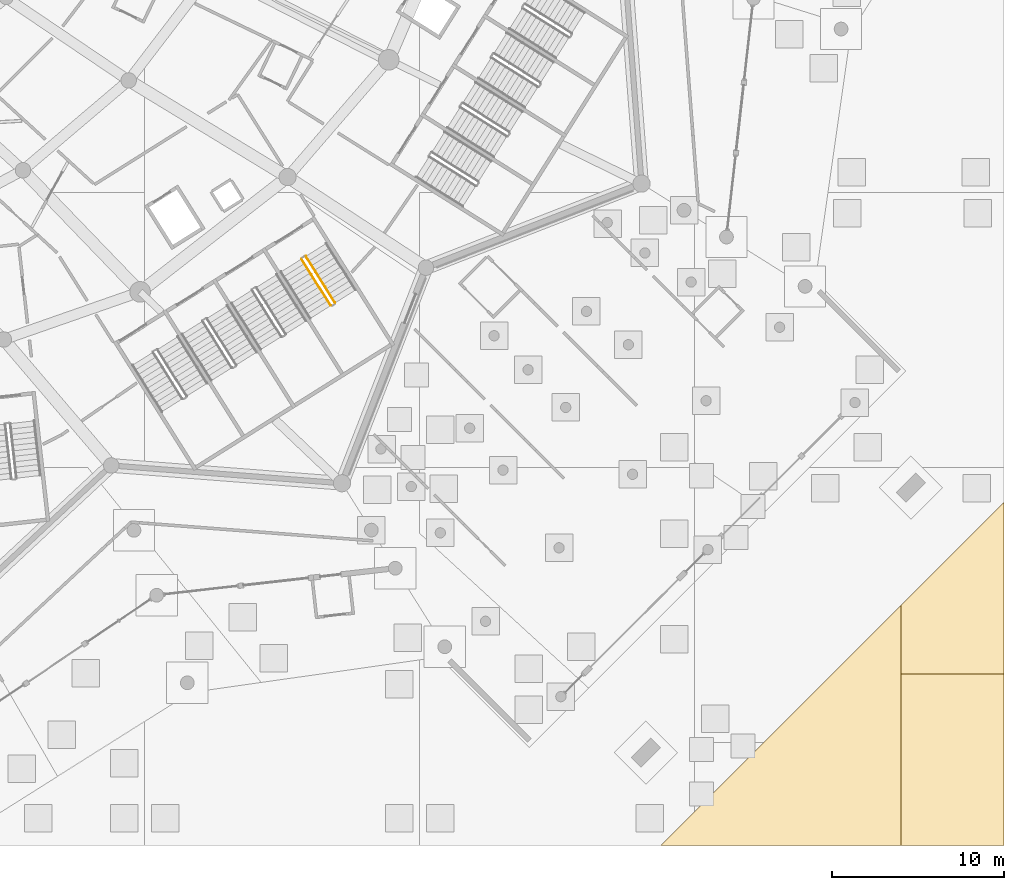
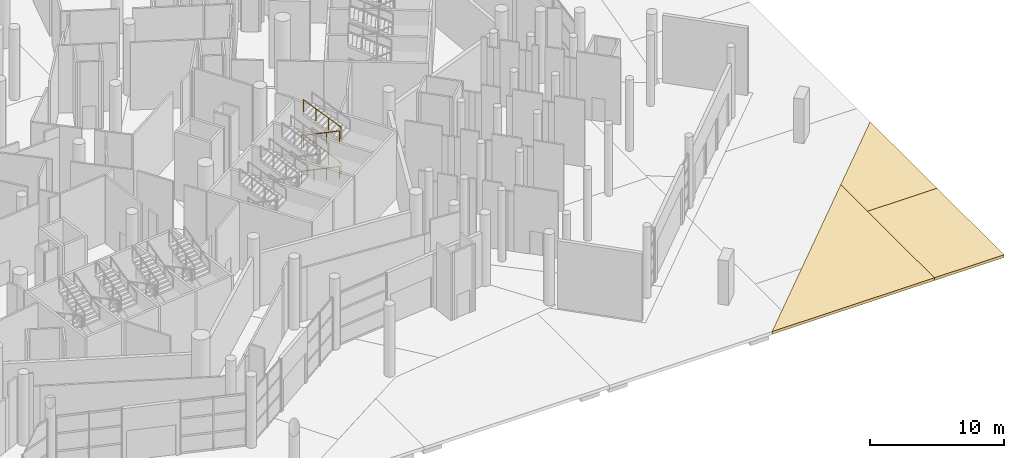
# One storey, part 212 of 255: 4 railings, 3 coverings.
"""IFC4 building model written with IfcOpenShell, lengths in metres."""

from ifc_helpers import new_model, si_unit, direction, frame, origin, origin_2d, place, context, subcontext, project, spatial, polyline, circle, outline, extrude, material, layer, layer_set, type_object, element, save


model = new_model("IFC4")

# Units and contexts
model_context = context("Model", 3, precision=1e-05, world=origin(), true_north=direction((0.0, 1.0)))
body_context = subcontext(model_context, "Body", "Model", "MODEL_VIEW")
ifc_project = project(units=[si_unit("LENGTHUNIT", "METRE"), si_unit("AREAUNIT", "SQUARE_METRE"), si_unit("VOLUMEUNIT", "CUBIC_METRE"), si_unit("PLANEANGLEUNIT", "RADIAN"), si_unit("MASSUNIT", "GRAM", prefix="KILO")], contexts=[model_context])

# Site, building, storey
site_placement = place(None, origin())
site = spatial("IfcSite", under=ifc_project, at=site_placement, CompositionType="ELEMENT")
building_placement = place(site_placement, origin())
building = spatial("IfcBuilding", under=site, at=building_placement, Name="Meseta Stadium", CompositionType="ELEMENT")
storey_placement = place(building_placement, origin())
storey = spatial("IfcBuildingStorey", under=building, at=storey_placement, Name="L00", CompositionType="ELEMENT", Elevation=0.0)

# Coverings
ifc_material_1 = material(Name="Guadarrama granite paving on bedding", Category="masonry")
ifc_layer = layer(ifc_material_1, 0.25)
ifc_layer_set = layer_set([ifc_layer], Name="Ground paving 250")
covering_type = type_object("IfcCoveringType", Name="Ground paving 250", PredefinedType="FLOORING", material=ifc_layer_set)
covering_1_placement = place(storey_placement, frame((0.0, 0.0, -0.25)))
element("IfcCovering", 1, at=covering_1_placement, inside=storey, type_object=covering_type, Name="Forecourt paving 09", PredefinedType="FLOORING", context=body_context, shape_type="SweptSolid", body=[
    extrude(outline(polyline([(108.0, -104.00146484375), (94.00146484375, -118.0), (108.0, -118.0), (108.0, -104.00146484375)])), origin(), (0.0, 0.0, 1.0), 0.25),
])
covering_2_placement = place(storey_placement, frame((0.0, 0.0, -0.25)))
element("IfcCovering", 2, at=covering_2_placement, inside=storey, type_object=covering_type, Name="Forecourt paving 14", PredefinedType="FLOORING", context=body_context, shape_type="SweptSolid", body=[
    extrude(outline(polyline([(108.0, -118.0), (114.0, -118.0), (114.0, -108.0), (108.0, -108.0), (108.0, -118.0)])), origin(), (0.0, 0.0, 1.0), 0.25),
])
covering_3_placement = place(storey_placement, frame((0.0, 0.0, -0.25)))
element("IfcCovering", 3, at=covering_3_placement, inside=storey, type_object=covering_type, Name="Forecourt paving 16", PredefinedType="FLOORING", context=body_context, shape_type="SweptSolid", body=[
    extrude(outline(polyline([(114.0, -108.0), (114.0, -98.00146484375), (108.0, -104.00146484375), (108.0, -108.0), (114.0, -108.0)])), origin(), (0.0, 0.0, 1.0), 0.25),
])

# Railings
ifc_material_2 = material(Name="Steel S355", Category="steel")
railing_type = type_object("IfcRailingType", Name="Stair guard 1100", PredefinedType="GUARDRAIL", material=ifc_material_2)
railing_1_placement = place(storey_placement, frame((73.121826171875, -83.8603515625, 0.147705078125)))
element("IfcRailing", 4, at=railing_1_placement, inside=storey, type_object=railing_type, Name="ST108 L00 guard 1", PredefinedType="GUARDRAIL", context=body_context, shape_type="SweptSolid", body=[
    extrude(circle(Radius=0.02392578125, at=origin_2d()), frame((0.0, 0.0, 1.076171875), z_axis=(0.483076039287, -0.768737866935, 0.419141541973), x_axis=(0.84670136309, 0.53206841829, 0.0)), (0.0, 0.0, 1.0), 3.524658203125),
    extrude(circle(Radius=0.02099609375, at=origin_2d()), origin(), (0.0, 0.0, 1.0), 1.052001953125),
    extrude(circle(Radius=0.02099609375, at=origin_2d()), frame((0.567626953125, -0.903076171875, 0.492431640625)), (0.0, 0.0, 1.0), 1.052001953125),
    extrude(circle(Radius=0.02099609375, at=origin_2d()), frame((1.135009765625, -1.806396484375, 0.98486328125)), (0.0, 0.0, 1.0), 1.052001953125),
    extrude(circle(Radius=0.02099609375, at=origin_2d()), frame((1.70263671875, -2.70947265625, 1.477294921875)), (0.0, 0.0, 1.0), 1.052001953125),
])
railing_2_placement = place(storey_placement, frame((75.078369140625, -86.41015625, 1.772705078125)))
element("IfcRailing", 5, at=railing_2_placement, inside=storey, type_object=railing_type, Name="ST108 L00 guard 3", PredefinedType="GUARDRAIL", context=body_context, shape_type="SweptSolid", body=[
    extrude(circle(Radius=0.02392578125, at=origin_2d()), frame((0.0, 0.0, 1.076171875), z_axis=(-0.483022933061, 0.76876358972, 0.419155566894), x_axis=(-0.846735733015, -0.532013720158, 0.0)), (0.0, 0.0, 1.0), 3.5244140625),
    extrude(circle(Radius=0.02099609375, at=origin_2d()), origin(), (0.0, 0.0, 1.0), 1.052001953125),
    extrude(circle(Radius=0.02099609375, at=origin_2d()), frame((-0.5673828125, 0.903076171875, 0.492431640625)), (0.0, 0.0, 1.0), 1.052001953125),
    extrude(circle(Radius=0.02099609375, at=origin_2d()), frame((-1.135009765625, 1.806396484375, 0.98486328125)), (0.0, 0.0, 1.0), 1.052001953125),
    extrude(circle(Radius=0.02099609375, at=origin_2d()), frame((-1.702392578125, 2.70947265625, 1.477294921875)), (0.0, 0.0, 1.0), 1.052001953125),
])
railing_3_placement = place(storey_placement, frame((73.121826171875, -83.8603515625, 3.397705078125)))
element("IfcRailing", 6, at=railing_3_placement, inside=storey, type_object=railing_type, Name="ST108 L00 guard 5", PredefinedType="GUARDRAIL", context=body_context, shape_type="SweptSolid", body=[
    extrude(circle(Radius=0.02392578125, at=origin_2d()), frame((0.0, 0.0, 1.076171875), z_axis=(0.483076039287, -0.768737866935, 0.419141541973), x_axis=(0.84670136309, 0.53206841829, 0.0)), (0.0, 0.0, 1.0), 3.524658203125),
    extrude(circle(Radius=0.02099609375, at=origin_2d()), origin(), (0.0, 0.0, 1.0), 1.052001953125),
    extrude(circle(Radius=0.02099609375, at=origin_2d()), frame((0.567626953125, -0.903076171875, 0.492431640625)), (0.0, 0.0, 1.0), 1.052001953125),
    extrude(circle(Radius=0.02099609375, at=origin_2d()), frame((1.135009765625, -1.806396484375, 0.98486328125)), (0.0, 0.0, 1.0), 1.052001953125),
    extrude(circle(Radius=0.02099609375, at=origin_2d()), frame((1.70263671875, -2.70947265625, 1.477294921875)), (0.0, 0.0, 1.0), 1.052001953125),
])
railing_4_placement = place(storey_placement, frame((75.078369140625, -86.41015625, 5.022705078125)))
element("IfcRailing", 7, at=railing_4_placement, inside=storey, type_object=railing_type, Name="ST108 L00 guard 7", PredefinedType="GUARDRAIL", context=body_context, shape_type="SweptSolid", body=[
    extrude(circle(Radius=0.02392578125, at=origin_2d()), frame((0.0, 0.0, 1.076171875), z_axis=(-0.483022933061, 0.76876358972, 0.419155566894), x_axis=(-0.846735733015, -0.532013720158, 0.0)), (0.0, 0.0, 1.0), 3.5244140625),
    extrude(circle(Radius=0.02099609375, at=origin_2d()), origin(), (0.0, 0.0, 1.0), 1.052001953125),
    extrude(circle(Radius=0.02099609375, at=origin_2d()), frame((-0.5673828125, 0.903076171875, 0.492431640625)), (0.0, 0.0, 1.0), 1.052001953125),
    extrude(circle(Radius=0.02099609375, at=origin_2d()), frame((-1.135009765625, 1.806396484375, 0.98486328125)), (0.0, 0.0, 1.0), 1.052001953125),
    extrude(circle(Radius=0.02099609375, at=origin_2d()), frame((-1.702392578125, 2.70947265625, 1.477294921875)), (0.0, 0.0, 1.0), 1.052001953125),
])

save(model, "model.ifc")
